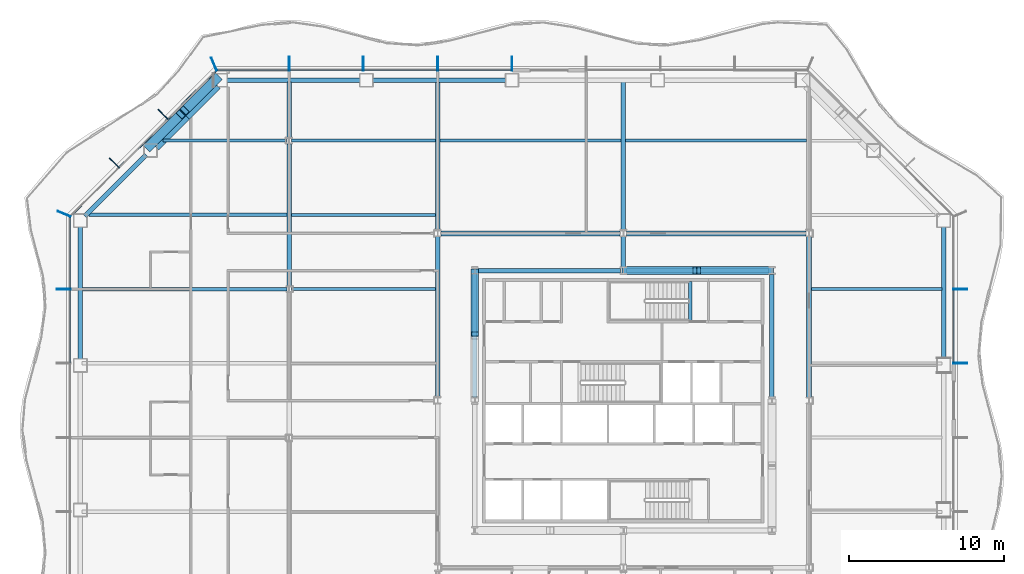
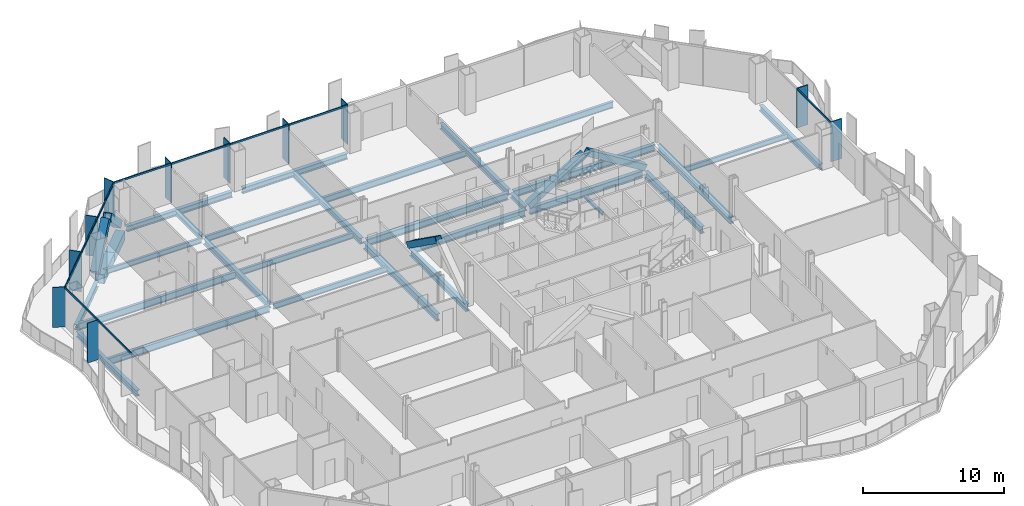
# One storey, part 3 of 17: 30 beams, 26 members, 4 elements without a shape of their own.
"""IFC4 building model written with IfcOpenShell, lengths in metres."""

from ifc_helpers import new_model, si_unit, direction, frame, origin, origin_2d, place, context, subcontext, project, spatial, rectangle, hollow_rectangle, i_section, extrude, material, material_profile, profile_set, type_object, element, aggregate, save


model = new_model("IFC4")

# Units and contexts
model_context = context("Model", 3, precision=1e-05, world=origin(), true_north=direction((0.0, 1.0)))
body_context = subcontext(model_context, "Body", "Model", "MODEL_VIEW")
ifc_project = project(units=[si_unit("LENGTHUNIT", "METRE"), si_unit("AREAUNIT", "SQUARE_METRE"), si_unit("VOLUMEUNIT", "CUBIC_METRE"), si_unit("PLANEANGLEUNIT", "RADIAN"), si_unit("MASSUNIT", "GRAM", prefix="KILO")], contexts=[model_context])

# Site, building, storey
site_placement = place(None, origin())
site = spatial("IfcSite", under=ifc_project, at=site_placement, CompositionType="ELEMENT")
building_placement = place(site_placement, origin())
building = spatial("IfcBuilding", under=site, at=building_placement, Name="Cairn Pilgrim Tower", CompositionType="ELEMENT")
storey_placement = place(building_placement, frame((0.0, 0.0, 79.800048828125)))
storey = spatial("IfcBuildingStorey", under=building, at=storey_placement, Name="L18", CompositionType="ELEMENT", Elevation=79.800048828125)

# Members
ifc_material_1 = material(Name="Structural steel S460M", Category="steel")
ifc_material_profile_1 = material_profile(ifc_material_1, hollow_rectangle(XDim=0.5, YDim=0.5, WallThickness=0.030029296875, at=origin_2d()), Name="BOX 500x500x30")
ifc_profile_set_1 = profile_set([ifc_material_profile_1], Name="Structural steel S460M")
member_type_1 = type_object("IfcMemberType", Name="BOX 500x500x30 BRACE", PredefinedType="BRACE", material=ifc_profile_set_1)
member_1_placement = place(storey_placement, frame((16.75634765625, 10.800048828125, 0.099853515625), z_axis=(-0.851002408489, 0.0, 0.525161785305), x_axis=(0.0, -1.0, 0.0)))
element("IfcMember", 1, at=member_1_placement, inside=storey, type_object=member_type_1, Name="KB-3A", PredefinedType="BRACE", context=body_context, shape_type="SweptSolid", body=[
    extrude(hollow_rectangle(XDim=0.5, YDim=0.5, WallThickness=0.030029296875, at=origin_2d()), origin(), (0.0, 0.0, 1.0), 5.526611328125),
])
member_2_placement = place(storey_placement, frame((7.24365234375, 10.800048828125, 0.099853515625), z_axis=(0.851007515624, 0.0, 0.525153509321), x_axis=(0.0, 1.0, 0.0)))
element("IfcMember", 2, at=member_2_placement, inside=storey, type_object=member_type_1, Name="KB-3B", PredefinedType="BRACE", context=body_context, shape_type="SweptSolid", body=[
    extrude(hollow_rectangle(XDim=0.5, YDim=0.5, WallThickness=0.030029296875, at=origin_2d()), origin(), (0.0, 0.0, 1.0), 5.37646484375),
])
member_3_placement = place(storey_placement, frame((-2.39990234375, 10.75634765625, 0.099853515625), z_axis=(0.0, -0.814175628242, 0.580618675532), x_axis=(1.0, 0.0, 0.0)))
element("IfcMember", 3, at=member_3_placement, inside=storey, type_object=member_type_1, Name="KB-4A", PredefinedType="BRACE", context=body_context, shape_type="SweptSolid", body=[
    extrude(hollow_rectangle(XDim=0.5, YDim=0.5, WallThickness=0.030029296875, at=origin_2d()), origin(), (0.0, 0.0, 1.0), 4.99658203125),
])
ifc_material_profile_2 = material_profile(ifc_material_1, hollow_rectangle(XDim=0.60009765625, YDim=0.60009765625, WallThickness=0.034912109375, at=origin_2d()), Name="BOX 600x600x35")
ifc_profile_set_2 = profile_set([ifc_material_profile_2], Name="Structural steel S460M")
member_type_2 = type_object("IfcMemberType", Name="BOX 600x600x35 BRACE", PredefinedType="BRACE", material=ifc_profile_set_2)
for number, where, z_axis, x_axis, name in (
    (4, (-19.078125, 23.2236328125, 0.14990234375), (-0.52892212789, -0.52892212789, 0.663688756314), (0.707106781187, -0.707106781187, 0.0), "XB-NW1-NW2-1"),
    (5, (-23.4873046875, 18.814697265625, 0.14990234375), (0.528939327604, 0.528877844478, 0.663710338426), (-0.70706568108, 0.707147878904, 0.0), "XB-NW1-NW2-2"),
):
    element("IfcMember", number, at=place(storey_placement, frame(where, z_axis=z_axis, x_axis=x_axis)), inside=storey, type_object=member_type_2, Name=name, PredefinedType="BRACE", context=body_context, shape_type="SweptSolid", body=[
        extrude(hollow_rectangle(XDim=0.60009765625, YDim=0.60009765625, WallThickness=0.034912109375, at=origin_2d()), origin(), (0.0, 0.0, 1.0), 3.970947265625),
    ])

# Beams
ifc_material_2 = material(Name="Structural steel S355J2", Category="steel")
ifc_material_profile_3 = material_profile(ifc_material_2, hollow_rectangle(XDim=0.699951171875, YDim=0.800048828125, WallThickness=0.0400390625, at=origin_2d()), Name="BOX 700x800x40")
ifc_profile_set_3 = profile_set([ifc_material_profile_3], Name="Structural steel S355J2")
beam_type_1 = type_object("IfcBeamType", Name="BOX 700x800x40 RING GIRDER", PredefinedType="SPANDREL", material=ifc_profile_set_3)
beam_1_placement = place(storey_placement, frame((-19.113525390625, 22.813720703125, -0.550048828125), z_axis=(-0.707106781187, -0.707106781187, 0.0), x_axis=(0.707106781187, -0.707106781187, 0.0)))
element("IfcBeam", 6, at=beam_1_placement, inside=storey, type_object=beam_type_1, Name="RG1-NW1-NW2-1", PredefinedType="SPANDREL", context=body_context, shape_type="SweptSolid", body=[
    extrude(hollow_rectangle(XDim=0.699951171875, YDim=0.800048828125, WallThickness=0.0400390625, at=origin_2d()), origin(), (0.0, 0.0, 1.0), 2.802978515625),
])
beam_2_placement = place(storey_placement, frame((-21.095458984375, 20.831787109375, -0.550048828125), z_axis=(-0.707106781187, -0.707106781187, 0.0), x_axis=(0.707106781187, -0.707106781187, 0.0)))
element("IfcBeam", 7, at=beam_2_placement, inside=storey, type_object=beam_type_1, Name="RG1-NW1-NW2-2", PredefinedType="SPANDREL", context=body_context, shape_type="SweptSolid", body=[
    extrude(hollow_rectangle(XDim=0.699951171875, YDim=0.800048828125, WallThickness=0.0400390625, at=origin_2d()), origin(), (0.0, 0.0, 1.0), 2.802490234375),
])

# Curtain wall, members
ifc_material_3 = material(Name="Aluminium alloy 6063-T6 bronze anodised with Bronze tinted laminated low-E glass 8+16+8.8", Category="aluminium")
curtain_wall_type_1 = type_object("IfcCurtainWallType", Name="TOWER STICK CURTAIN WALL EW", PredefinedType="NOTDEFINED", material=ifc_material_3)
curtain_wall_1_placement = place(storey_placement, origin())
curtain_wall_1 = element("IfcCurtainWall", 8, at=curtain_wall_1_placement, inside=storey, type_object=curtain_wall_type_1, Name="Tower Stick Curtain Wall Ew E", PredefinedType="NOTDEFINED")
ifc_material_4 = material(Name="Aluminium alloy 6063-T6 bronze anodised", Category="aluminium")
ifc_material_profile_4 = material_profile(ifc_material_4, rectangle(XDim=0.89990234375, YDim=0.06005859375, at=origin_2d()), Name="FIN MULLION 60x900 BRONZE")
ifc_profile_set_4 = profile_set([ifc_material_profile_4], Name="Aluminium alloy 6063-T6 bronze anodised")
member_type_3 = type_object("IfcMemberType", Name="FIN MULLION 60x900 BRONZE", PredefinedType="MULLION", material=ifc_profile_set_4)
member_4_placement = place(storey_placement, frame((28.969970703125, 4.800048828125, 0.0), z_axis=(0.0, 0.0, 1.0), x_axis=(1.0, 0.0, 0.0)))
member_4 = element("IfcMember", 9, at=member_4_placement, type_object=member_type_3, Name="Fin mullion E5", PredefinedType="MULLION", context=body_context, shape_type="SweptSolid", body=[
    extrude(rectangle(XDim=0.89990234375, YDim=0.06005859375, at=origin_2d()), origin(), (0.0, 0.0, 1.0), 3.449951171875),
])
member_5_placement = place(storey_placement, frame((28.969970703125, 9.60009765625, 0.0), z_axis=(0.0, 0.0, 1.0), x_axis=(1.0, 0.0, 0.0)))
member_5 = element("IfcMember", 10, at=member_5_placement, type_object=member_type_3, Name="Fin mullion E6", PredefinedType="MULLION", context=body_context, shape_type="SweptSolid", body=[
    extrude(rectangle(XDim=0.89990234375, YDim=0.06005859375, at=origin_2d()), origin(), (0.0, 0.0, 1.0), 3.449951171875),
])

curtain_wall_type_2 = type_object("IfcCurtainWallType", Name="TOWER STICK CURTAIN WALL NS", PredefinedType="NOTDEFINED", material=ifc_material_3)
curtain_wall_2_placement = place(storey_placement, origin())
curtain_wall_2 = element("IfcCurtainWall", 11, at=curtain_wall_2_placement, inside=storey, type_object=curtain_wall_type_2, Name="Tower Stick Curtain Wall Ns N", PredefinedType="NOTDEFINED")
member_6_placement = place(storey_placement, frame((0.0, 24.169921875, 0.0), z_axis=(0.0, 0.0, 1.0), x_axis=(0.0, 1.0, 0.0)))
member_6 = element("IfcMember", 12, at=member_6_placement, type_object=member_type_3, Name="Fin mullion N5", PredefinedType="MULLION", context=body_context, shape_type="SweptSolid", body=[
    extrude(rectangle(XDim=0.89990234375, YDim=0.06005859375, at=origin_2d()), origin(), (0.0, 0.0, 1.0), 3.449951171875),
])
member_7_placement = place(storey_placement, frame((-4.800048828125, 24.169921875, 0.0), z_axis=(0.0, 0.0, 1.0), x_axis=(0.0, 1.0, 0.0)))
member_7 = element("IfcMember", 13, at=member_7_placement, type_object=member_type_3, Name="Fin mullion N6", PredefinedType="MULLION", context=body_context, shape_type="SweptSolid", body=[
    extrude(rectangle(XDim=0.89990234375, YDim=0.06005859375, at=origin_2d()), origin(), (0.0, 0.0, 1.0), 3.449951171875),
])
member_8_placement = place(storey_placement, frame((-9.60009765625, 24.169921875, 0.0), z_axis=(0.0, 0.0, 1.0), x_axis=(0.0, 1.0, 0.0)))
member_8 = element("IfcMember", 14, at=member_8_placement, type_object=member_type_3, Name="Fin mullion N7", PredefinedType="MULLION", context=body_context, shape_type="SweptSolid", body=[
    extrude(rectangle(XDim=0.89990234375, YDim=0.06005859375, at=origin_2d()), origin(), (0.0, 0.0, 1.0), 3.449951171875),
])
member_9_placement = place(storey_placement, frame((-14.39990234375, 24.169921875, 0.0), z_axis=(0.0, 0.0, 1.0), x_axis=(0.0, 1.0, 0.0)))
member_9 = element("IfcMember", 15, at=member_9_placement, type_object=member_type_3, Name="Fin mullion N8", PredefinedType="MULLION", context=body_context, shape_type="SweptSolid", body=[
    extrude(rectangle(XDim=0.89990234375, YDim=0.06005859375, at=origin_2d()), origin(), (0.0, 0.0, 1.0), 3.449951171875),
])

curtain_wall_type_3 = type_object("IfcCurtainWallType", Name="CHAMFER CORNER CURTAIN WALL", PredefinedType="NOTDEFINED", material=ifc_material_3)
curtain_wall_3_placement = place(storey_placement, origin())
curtain_wall_3 = element("IfcCurtainWall", 16, at=curtain_wall_3_placement, inside=storey, type_object=curtain_wall_type_3, Name="Chamfer Corner Curtain Wall NW", PredefinedType="NOTDEFINED")
member_10_placement = place(storey_placement, frame((-19.257080078125, 24.137939453125, 0.0), z_axis=(0.0, 0.0, 1.0), x_axis=(-0.382683432365, 0.923879532511, 0.0)))
member_10 = element("IfcMember", 17, at=member_10_placement, type_object=member_type_3, Name="Fin mullion NW1", PredefinedType="MULLION", context=body_context, shape_type="SweptSolid", body=[
    extrude(rectangle(XDim=0.89990234375, YDim=0.06005859375, at=origin_2d()), origin(), (0.0, 0.0, 1.0), 3.449951171875),
])
member_11_placement = place(storey_placement, frame((-22.544677734375, 20.895751953125, 0.0), z_axis=(0.0, 0.0, 1.0), x_axis=(-0.707106781187, 0.707106781187, 0.0)))
member_11 = element("IfcMember", 18, at=member_11_placement, type_object=member_type_3, Name="Fin mullion NW2", PredefinedType="MULLION", context=body_context, shape_type="SweptSolid", body=[
    extrude(rectangle(XDim=0.89990234375, YDim=0.06005859375, at=origin_2d()), origin(), (0.0, 0.0, 1.0), 3.449951171875),
])
member_12_placement = place(storey_placement, frame((-25.69580078125, 17.74462890625, 0.0), z_axis=(0.0, 0.0, 1.0), x_axis=(-0.707106781187, 0.707106781187, 0.0)))
member_12 = element("IfcMember", 19, at=member_12_placement, type_object=member_type_3, Name="Fin mullion NW3", PredefinedType="MULLION", context=body_context, shape_type="SweptSolid", body=[
    extrude(rectangle(XDim=0.89990234375, YDim=0.06005859375, at=origin_2d()), origin(), (0.0, 0.0, 1.0), 3.449951171875),
])

curtain_wall_4_placement = place(storey_placement, origin())
curtain_wall_4 = element("IfcCurtainWall", 20, at=curtain_wall_4_placement, inside=storey, type_object=curtain_wall_type_1, Name="Tower Stick Curtain Wall Ew W", PredefinedType="NOTDEFINED")
member_13_placement = place(storey_placement, frame((-28.93798828125, 14.457275390625, 0.0), z_axis=(0.0, 0.0, 1.0), x_axis=(-0.923879532511, 0.382683432365, 0.0)))
member_13 = element("IfcMember", 21, at=member_13_placement, type_object=member_type_3, Name="Fin mullion W1", PredefinedType="MULLION", context=body_context, shape_type="SweptSolid", body=[
    extrude(rectangle(XDim=0.89990234375, YDim=0.06005859375, at=origin_2d()), origin(), (0.0, 0.0, 1.0), 3.449951171875),
])
member_14_placement = place(storey_placement, frame((-28.969970703125, 9.60009765625, 0.0), z_axis=(0.0, 0.0, 1.0), x_axis=(-1.0, 0.0, 0.0)))
member_14 = element("IfcMember", 22, at=member_14_placement, type_object=member_type_3, Name="Fin mullion W2", PredefinedType="MULLION", context=body_context, shape_type="SweptSolid", body=[
    extrude(rectangle(XDim=0.89990234375, YDim=0.06005859375, at=origin_2d()), origin(), (0.0, 0.0, 1.0), 3.449951171875),
])

# Beams
ifc_material_profile_5 = material_profile(ifc_material_2, i_section(OverallWidth=0.300048828125, OverallDepth=0.39990234375, WebThickness=0.013427734375, FlangeThickness=0.02392578125, FilletRadius=0.027099609375, at=origin_2d()), Name="HEB 400")
ifc_profile_set_5 = profile_set([ifc_material_profile_5], Name="Structural steel S355J2")
beam_type_2 = type_object("IfcBeamType", Name="HEB 400 GIRDER", PredefinedType="BEAM", material=ifc_profile_set_5)
beam_3_placement = place(storey_placement, frame((-14.39990234375, 19.404541015625, -0.35009765625), z_axis=(0.0, 1.0, 0.0), x_axis=(-1.0, 0.0, 0.0)))
element("IfcBeam", 23, at=beam_3_placement, inside=storey, type_object=beam_type_2, Name="PG1-6", PredefinedType="BEAM", context=body_context, shape_type="SweptSolid", body=[
    extrude(i_section(OverallWidth=0.300048828125, OverallDepth=0.39990234375, WebThickness=0.013427734375, FlangeThickness=0.02392578125, FilletRadius=0.027099609375, at=origin_2d()), origin(), (0.0, 0.0, 1.0), 3.575439453125),
])
beam_4_placement = place(storey_placement, frame((7.199951171875, 11.0185546875, -0.35009765625), z_axis=(0.0, 1.0, 0.0), x_axis=(-1.0, 0.0, 0.0)))
element("IfcBeam", 24, at=beam_4_placement, inside=storey, type_object=beam_type_2, Name="PG3-E2", PredefinedType="BEAM", context=body_context, shape_type="SweptSolid", body=[
    extrude(i_section(OverallWidth=0.300048828125, OverallDepth=0.39990234375, WebThickness=0.013427734375, FlangeThickness=0.02392578125, FilletRadius=0.027099609375, at=origin_2d()), origin(), (0.0, 0.0, 1.0), 1.969482421875),
])
ifc_material_profile_6 = material_profile(ifc_material_2, i_section(OverallWidth=0.300048828125, OverallDepth=0.5, WebThickness=0.014404296875, FlangeThickness=0.028076171875, FilletRadius=0.027099609375, at=origin_2d()), Name="HEB 500")
ifc_profile_set_6 = profile_set([ifc_material_profile_6], Name="Structural steel S355J2")
beam_type_3 = type_object("IfcBeamType", Name="HEB 500 GIRDER", PredefinedType="BEAM", material=ifc_profile_set_6)
beam_5_placement = place(storey_placement, frame((-14.39990234375, 9.804443359375, -0.400146484375), z_axis=(0.0, 1.0, 0.0), x_axis=(-1.0, 0.0, 0.0)))
element("IfcBeam", 25, at=beam_5_placement, inside=storey, type_object=beam_type_3, Name="PG1-5", PredefinedType="BEAM", context=body_context, shape_type="SweptSolid", body=[
    extrude(i_section(OverallWidth=0.300048828125, OverallDepth=0.5, WebThickness=0.014404296875, FlangeThickness=0.028076171875, FilletRadius=0.027099609375, at=origin_2d()), origin(), (0.0, 0.0, 1.0), 9.191162109375),
])
for number, where, z_axis, x_axis, name in (
    (26, (-4.800048828125, 13.412109375, -0.400146484375), (0.0, 1.0, 0.0), (-1.0, 0.0, 0.0), "PG2-4"),
    (27, (7.199951171875, 13.412109375, -0.400146484375), (0.0, 1.0, 0.0), (-1.0, 0.0, 0.0), "PG3-2"),
):
    element("IfcBeam", number, at=place(storey_placement, frame(where, z_axis=z_axis, x_axis=x_axis)), inside=storey, type_object=beam_type_3, Name=name, PredefinedType="BEAM", context=body_context, shape_type="SweptSolid", body=[
        extrude(i_section(OverallWidth=0.300048828125, OverallDepth=0.5, WebThickness=0.014404296875, FlangeThickness=0.028076171875, FilletRadius=0.027099609375, at=origin_2d()), origin(), (0.0, 0.0, 1.0), 9.56787109375),
    ])
ifc_material_profile_7 = material_profile(ifc_material_2, i_section(OverallWidth=0.300048828125, OverallDepth=0.5, WebThickness=0.014404296875, FlangeThickness=0.028076171875, FilletRadius=0.027099609375, at=origin_2d()), Name="HEB 500")
ifc_profile_set_7 = profile_set([ifc_material_profile_7], Name="Structural steel S355J2")
beam_type_4 = type_object("IfcBeamType", Name="HEB 500 RING GIRDER", PredefinedType="SPANDREL", material=ifc_profile_set_7)
beam_6_placement = place(storey_placement, frame((27.89990234375, 5.080810546875, -0.400146484375), z_axis=(0.0, 1.0, 0.0), x_axis=(-1.0, 0.0, 0.0)))
element("IfcBeam", 28, at=beam_6_placement, inside=storey, type_object=beam_type_4, Name="RG1-E3-NE1", PredefinedType="SPANDREL", context=body_context, shape_type="SweptSolid", body=[
    extrude(i_section(OverallWidth=0.300048828125, OverallDepth=0.5, WebThickness=0.014404296875, FlangeThickness=0.028076171875, FilletRadius=0.027099609375, at=origin_2d()), origin(), (0.0, 0.0, 1.0), 8.54150390625),
])
for number, where, z_axis, x_axis, name in (
    (29, (-0.405029296875, 23.10009765625, -0.400146484375), (-1.0, 0.0, 0.0), (0.0, -1.0, 0.0), "RG1-N3-N4"),
    (30, (-9.818603515625, 23.10009765625, -0.400146484375), (-1.0, 0.0, 0.0), (0.0, -1.0, 0.0), "RG1-N4-NW1"),
):
    element("IfcBeam", number, at=place(storey_placement, frame(where, z_axis=z_axis, x_axis=x_axis)), inside=storey, type_object=beam_type_4, Name=name, PredefinedType="SPANDREL", context=body_context, shape_type="SweptSolid", body=[
        extrude(i_section(OverallWidth=0.300048828125, OverallDepth=0.5, WebThickness=0.014404296875, FlangeThickness=0.028076171875, FilletRadius=0.027099609375, at=origin_2d()), origin(), (0.0, 0.0, 1.0), 8.603515625),
    ])
beam_7_placement = place(storey_placement, frame((-23.64990234375, 18.277099609375, -0.400146484375), z_axis=(-0.707128558756, -0.707085002947, 0.0), x_axis=(0.707085002947, -0.707128558756, 0.0)))
element("IfcBeam", 31, at=beam_7_placement, inside=storey, type_object=beam_type_4, Name="RG1-NW2-W1", PredefinedType="SPANDREL", context=body_context, shape_type="SweptSolid", body=[
    extrude(i_section(OverallWidth=0.300048828125, OverallDepth=0.5, WebThickness=0.014404296875, FlangeThickness=0.028076171875, FilletRadius=0.027099609375, at=origin_2d()), origin(), (0.0, 0.0, 1.0), 5.605224609375),
])
beam_8_placement = place(storey_placement, frame((-27.89990234375, 13.622314453125, -0.400146484375), z_axis=(0.0, -1.0, 0.0), x_axis=(1.0, 0.0, 0.0)))
element("IfcBeam", 32, at=beam_8_placement, inside=storey, type_object=beam_type_4, Name="RG1-W1-W2", PredefinedType="SPANDREL", context=body_context, shape_type="SweptSolid", body=[
    extrude(i_section(OverallWidth=0.300048828125, OverallDepth=0.5, WebThickness=0.014404296875, FlangeThickness=0.028076171875, FilletRadius=0.027099609375, at=origin_2d()), origin(), (0.0, 0.0, 1.0), 8.54150390625),
])
ifc_material_profile_8 = material_profile(ifc_material_2, i_section(OverallWidth=0.300048828125, OverallDepth=0.60009765625, WebThickness=0.015380859375, FlangeThickness=0.030029296875, FilletRadius=0.027099609375, at=origin_2d()), Name="HEB 600")
ifc_profile_set_8 = profile_set([ifc_material_profile_8], Name="Structural steel S355J2")
beam_type_5 = type_object("IfcBeamType", Name="HEB 600 CORE BEAM", PredefinedType="BEAM", material=ifc_profile_set_8)
beam_9_placement = place(storey_placement, frame((16.800048828125, 2.5966796875, -0.449951171875), z_axis=(0.0, 1.0, 0.0), x_axis=(-1.0, 0.0, 0.0)))
element("IfcBeam", 33, at=beam_9_placement, inside=storey, type_object=beam_type_5, Name="CB-4", PredefinedType="BEAM", context=body_context, shape_type="SweptSolid", body=[
    extrude(i_section(OverallWidth=0.300048828125, OverallDepth=0.60009765625, WebThickness=0.015380859375, FlangeThickness=0.030029296875, FilletRadius=0.027099609375, at=origin_2d()), origin(), (0.0, 0.0, 1.0), 8.0068359375),
])
beam_10_placement = place(storey_placement, frame((16.603271484375, 10.800048828125, -0.449951171875), z_axis=(-1.0, 0.0, 0.0), x_axis=(0.0, -1.0, 0.0)))
element("IfcBeam", 34, at=beam_10_placement, inside=storey, type_object=beam_type_5, Name="CB-5", PredefinedType="BEAM", context=body_context, shape_type="SweptSolid", body=[
    extrude(i_section(OverallWidth=0.300048828125, OverallDepth=0.60009765625, WebThickness=0.015380859375, FlangeThickness=0.030029296875, FilletRadius=0.027099609375, at=origin_2d()), origin(), (0.0, 0.0, 1.0), 9.20654296875),
])
beam_11_placement = place(storey_placement, frame((7.00341796875, 10.800048828125, -0.449951171875), z_axis=(-1.0, 0.0, 0.0), x_axis=(0.0, -1.0, 0.0)))
element("IfcBeam", 35, at=beam_11_placement, inside=storey, type_object=beam_type_5, Name="CB-6", PredefinedType="BEAM", context=body_context, shape_type="SweptSolid", body=[
    extrude(i_section(OverallWidth=0.300048828125, OverallDepth=0.60009765625, WebThickness=0.015380859375, FlangeThickness=0.030029296875, FilletRadius=0.027099609375, at=origin_2d()), origin(), (0.0, 0.0, 1.0), 9.206787109375),
])
beam_12_placement = place(storey_placement, frame((-2.39990234375, 10.603515625, -0.449951171875), z_axis=(0.0, -1.0, 0.0), x_axis=(1.0, 0.0, 0.0)))
element("IfcBeam", 36, at=beam_12_placement, inside=storey, type_object=beam_type_5, Name="CB-7", PredefinedType="BEAM", context=body_context, shape_type="SweptSolid", body=[
    extrude(i_section(OverallWidth=0.300048828125, OverallDepth=0.60009765625, WebThickness=0.015380859375, FlangeThickness=0.030029296875, FilletRadius=0.027099609375, at=origin_2d()), origin(), (0.0, 0.0, 1.0), 8.0068359375),
])
ifc_material_profile_9 = material_profile(ifc_material_2, i_section(OverallWidth=0.300048828125, OverallDepth=0.60009765625, WebThickness=0.015380859375, FlangeThickness=0.030029296875, FilletRadius=0.027099609375, at=origin_2d()), Name="HEB 600")
ifc_profile_set_9 = profile_set([ifc_material_profile_9], Name="Structural steel S355J2")
beam_type_6 = type_object("IfcBeamType", Name="HEB 600 GIRDER", PredefinedType="BEAM", material=ifc_profile_set_9)
for number, where, z_axis, x_axis, name in (
    (37, (-4.800048828125, 2.612060546875, -0.449951171875), (0.0, 1.0, 0.0), (-1.0, 0.0, 0.0), "PG2-3"),
    (38, (19.199951171875, 2.612060546875, -0.449951171875), (0.0, 1.0, 0.0), (-1.0, 0.0, 0.0), "PG4-3"),
):
    element("IfcBeam", number, at=place(storey_placement, frame(where, z_axis=z_axis, x_axis=x_axis)), inside=storey, type_object=beam_type_6, Name=name, PredefinedType="BEAM", context=body_context, shape_type="SweptSolid", body=[
        extrude(i_section(OverallWidth=0.300048828125, OverallDepth=0.60009765625, WebThickness=0.015380859375, FlangeThickness=0.030029296875, FilletRadius=0.027099609375, at=origin_2d()), origin(), (0.0, 0.0, 1.0), 10.3759765625),
    ])
ifc_material_profile_10 = material_profile(ifc_material_2, i_section(OverallWidth=0.300048828125, OverallDepth=0.60009765625, WebThickness=0.015380859375, FlangeThickness=0.030029296875, FilletRadius=0.027099609375, at=origin_2d()), Name="HEB 600")
ifc_profile_set_10 = profile_set([ifc_material_profile_10], Name="Structural steel S355J2")
beam_type_7 = type_object("IfcBeamType", Name="HEB 600 INNER GIRDER", PredefinedType="BEAM", material=ifc_profile_set_10)
for number, where, z_axis, x_axis, name in (
    (39, (-4.587890625, 13.199951171875, -0.449951171875), (1.0, 0.0, 0.0), (0.0, 1.0, 0.0), "IG2-1"),
    (40, (7.412109375, 13.199951171875, -0.449951171875), (1.0, 0.0, 0.0), (0.0, 1.0, 0.0), "IG2-2"),
):
    element("IfcBeam", number, at=place(storey_placement, frame(where, z_axis=z_axis, x_axis=x_axis)), inside=storey, type_object=beam_type_7, Name=name, PredefinedType="BEAM", context=body_context, shape_type="SweptSolid", body=[
        extrude(i_section(OverallWidth=0.300048828125, OverallDepth=0.60009765625, WebThickness=0.015380859375, FlangeThickness=0.030029296875, FilletRadius=0.027099609375, at=origin_2d()), origin(), (0.0, 0.0, 1.0), 11.575927734375),
    ])
ifc_material_profile_11 = material_profile(ifc_material_2, i_section(OverallWidth=0.18994140625, OverallDepth=0.449951171875, WebThickness=0.009521484375, FlangeThickness=0.0146484375, FilletRadius=0.02099609375, at=origin_2d()), Name="IPE 450")
ifc_profile_set_11 = profile_set([ifc_material_profile_11], Name="Structural steel S355J2")
beam_type_8 = type_object("IfcBeamType", Name="IPE 450 SECONDARY BEAM", PredefinedType="JOIST", material=ifc_profile_set_11)
beam_13_placement = place(storey_placement, frame((19.35009765625, 9.60009765625, -0.375), z_axis=(1.0, 0.0, 0.0), x_axis=(0.0, 1.0, 0.0)))
element("IfcBeam", 41, at=beam_13_placement, inside=storey, type_object=beam_type_8, Name="SB7-3", PredefinedType="JOIST", context=body_context, shape_type="SweptSolid", body=[
    extrude(i_section(OverallWidth=0.18994140625, OverallDepth=0.449951171875, WebThickness=0.009521484375, FlangeThickness=0.0146484375, FilletRadius=0.02099609375, at=origin_2d()), origin(), (0.0, 0.0, 1.0), 8.429931640625),
])
beam_14_placement = place(storey_placement, frame((-22.545166015625, 19.199951171875, -0.375), z_axis=(1.0, 0.0, 0.0), x_axis=(0.0, 1.0, 0.0)))
element("IfcBeam", 42, at=beam_14_placement, inside=storey, type_object=beam_type_8, Name="SB9-1", PredefinedType="JOIST", context=body_context, shape_type="SweptSolid", body=[
    extrude(i_section(OverallWidth=0.18994140625, OverallDepth=0.449951171875, WebThickness=0.009521484375, FlangeThickness=0.0146484375, FilletRadius=0.02099609375, at=origin_2d()), origin(), (0.0, 0.0, 1.0), 7.9951171875),
])
ifc_material_profile_12 = material_profile(ifc_material_2, i_section(OverallWidth=0.199951171875, OverallDepth=0.5, WebThickness=0.01025390625, FlangeThickness=0.01611328125, FilletRadius=0.02099609375, at=origin_2d()), Name="IPE 500")
ifc_profile_set_12 = profile_set([ifc_material_profile_12], Name="Structural steel S355J2")
beam_type_9 = type_object("IfcBeamType", Name="IPE 500 SECONDARY BEAM", PredefinedType="JOIST", material=ifc_profile_set_12)
for number, where, z_axis, x_axis, name in (
    (43, (-14.25, 9.60009765625, -0.400146484375), (1.0, 0.0, 0.0), (0.0, 1.0, 0.0), "SB7-2"),
    (44, (-14.25, 14.39990234375, -0.400146484375), (1.0, 0.0, 0.0), (0.0, 1.0, 0.0), "SB8-2"),
    (45, (-14.25, 19.199951171875, -0.400146484375), (1.0, 0.0, 0.0), (0.0, 1.0, 0.0), "SB9-2"),
):
    element("IfcBeam", number, at=place(storey_placement, frame(where, z_axis=z_axis, x_axis=x_axis)), inside=storey, type_object=beam_type_9, Name=name, PredefinedType="JOIST", context=body_context, shape_type="SweptSolid", body=[
        extrude(i_section(OverallWidth=0.199951171875, OverallDepth=0.5, WebThickness=0.01025390625, FlangeThickness=0.01611328125, FilletRadius=0.02099609375, at=origin_2d()), origin(), (0.0, 0.0, 1.0), 9.300048828125),
    ])
ifc_material_profile_13 = material_profile(ifc_material_2, i_section(OverallWidth=0.2099609375, OverallDepth=0.550048828125, WebThickness=0.010986328125, FlangeThickness=0.01708984375, FilletRadius=0.02392578125, at=origin_2d()), Name="IPE 550")
ifc_profile_set_13 = profile_set([ifc_material_profile_13], Name="Structural steel S355J2")
beam_type_10 = type_object("IfcBeamType", Name="IPE 550 SECONDARY BEAM", PredefinedType="JOIST", material=ifc_profile_set_13)
for number, where, z_axis, x_axis, name in (
    (46, (-4.64990234375, 19.199951171875, -0.425048828125), (1.0, 0.0, 0.0), (0.0, 1.0, 0.0), "SB9-3"),
    (47, (7.35009765625, 19.199951171875, -0.425048828125), (1.0, 0.0, 0.0), (0.0, 1.0, 0.0), "SB9-4"),
):
    element("IfcBeam", number, at=place(storey_placement, frame(where, z_axis=z_axis, x_axis=x_axis)), inside=storey, type_object=beam_type_10, Name=name, PredefinedType="JOIST", context=body_context, shape_type="SweptSolid", body=[
        extrude(i_section(OverallWidth=0.2099609375, OverallDepth=0.550048828125, WebThickness=0.010986328125, FlangeThickness=0.01708984375, FilletRadius=0.02392578125, at=origin_2d()), origin(), (0.0, 0.0, 1.0), 11.699951171875),
    ])
ifc_material_profile_14 = material_profile(ifc_material_2, i_section(OverallWidth=0.219970703125, OverallDepth=0.60009765625, WebThickness=0.011962890625, FlangeThickness=0.01904296875, FilletRadius=0.02392578125, at=origin_2d()), Name="IPE 600")
ifc_profile_set_14 = profile_set([ifc_material_profile_14], Name="Structural steel S355J2")
beam_type_11 = type_object("IfcBeamType", Name="IPE 600 SECONDARY BEAM", PredefinedType="JOIST", material=ifc_profile_set_14)
beam_15_placement = place(storey_placement, frame((-27.780029296875, 9.60009765625, -0.449951171875), z_axis=(1.0, 0.0, 0.0), x_axis=(0.0, 1.0, 0.0)))
element("IfcBeam", 48, at=beam_15_placement, inside=storey, type_object=beam_type_11, Name="SB7-1", PredefinedType="JOIST", context=body_context, shape_type="SweptSolid", body=[
    extrude(i_section(OverallWidth=0.219970703125, OverallDepth=0.60009765625, WebThickness=0.011962890625, FlangeThickness=0.01904296875, FilletRadius=0.02392578125, at=origin_2d()), origin(), (0.0, 0.0, 1.0), 13.22998046875),
])
beam_16_placement = place(storey_placement, frame((-27.34521484375, 14.39990234375, -0.449951171875), z_axis=(1.0, 0.0, 0.0), x_axis=(0.0, 1.0, 0.0)))
element("IfcBeam", 49, at=beam_16_placement, inside=storey, type_object=beam_type_11, Name="SB8-1", PredefinedType="JOIST", context=body_context, shape_type="SweptSolid", body=[
    extrude(i_section(OverallWidth=0.219970703125, OverallDepth=0.60009765625, WebThickness=0.011962890625, FlangeThickness=0.01904296875, FilletRadius=0.02392578125, at=origin_2d()), origin(), (0.0, 0.0, 1.0), 12.795166015625),
])
ifc_material_profile_15 = material_profile(ifc_material_2, i_section(OverallWidth=0.199951171875, OverallDepth=0.199951171875, WebThickness=0.009033203125, FlangeThickness=0.014892578125, FilletRadius=0.01806640625, at=origin_2d()), Name="HE 200 B")
ifc_profile_set_15 = profile_set([ifc_material_profile_15], Name="Structural steel S355J2")
beam_type_12 = type_object("IfcBeamType", Name="STAIR LANDING BEAM HE 200 B", PredefinedType="BEAM", material=ifc_profile_set_15)
beam_17_placement = place(storey_placement, frame((11.5244140625, 10.10009765625, -0.25), z_axis=(0.0, -1.0, 0.0), x_axis=(1.0, 0.0, 0.0)))
element("IfcBeam", 50, at=beam_17_placement, inside=storey, type_object=beam_type_12, Name="STAIR LANDING BEAM LD-HE200B", PredefinedType="BEAM", context=body_context, shape_type="SweptSolid", body=[
    extrude(i_section(OverallWidth=0.199951171875, OverallDepth=0.199951171875, WebThickness=0.009033203125, FlangeThickness=0.014892578125, FilletRadius=0.01806640625, at=origin_2d()), origin(), (0.0, 0.0, 1.0), 2.525146484375),
])

# Member
ifc_material_profile_16 = material_profile(ifc_material_4, rectangle(XDim=0.080078125, YDim=0.14990234375, at=origin_2d()), Name="TRANSOM 80x150 BRONZE")
ifc_profile_set_16 = profile_set([ifc_material_profile_16], Name="Aluminium alloy 6063-T6 bronze anodised")
member_type_4 = type_object("IfcMemberType", Name="TRANSOM 80x150 BRONZE", PredefinedType="USERDEFINED", material=ifc_profile_set_16)
member_15_placement = place(storey_placement, frame((28.550048828125, 4.830078125, 3.375), z_axis=(0.0, 1.0, 0.0), x_axis=(-1.0, 0.0, 0.0)))
member_15 = element("IfcMember", 51, at=member_15_placement, type_object=member_type_4, Name="Transom E5", ObjectType="TRANSOM", PredefinedType="USERDEFINED", context=body_context, shape_type="SweptSolid", body=[
    extrude(rectangle(XDim=0.080078125, YDim=0.14990234375, at=origin_2d()), origin(), (0.0, 0.0, 1.0), 4.739990234375),
])

aggregate(curtain_wall_1, [member_4, member_5, member_15])

member_16_placement = place(storey_placement, frame((-0.030029296875, 23.75, 3.375), z_axis=(-1.0, 0.0, 0.0), x_axis=(0.0, -1.0, 0.0)))
member_16 = element("IfcMember", 52, at=member_16_placement, type_object=member_type_4, Name="Transom N5", ObjectType="TRANSOM", PredefinedType="USERDEFINED", context=body_context, shape_type="SweptSolid", body=[
    extrude(rectangle(XDim=0.080078125, YDim=0.14990234375, at=origin_2d()), origin(), (0.0, 0.0, 1.0), 4.739990234375),
])

member_17_placement = place(storey_placement, frame((-4.830078125, 23.75, 3.375), z_axis=(-1.0, 0.0, 0.0), x_axis=(0.0, -1.0, 0.0)))
member_17 = element("IfcMember", 53, at=member_17_placement, type_object=member_type_4, Name="Transom N6", ObjectType="TRANSOM", PredefinedType="USERDEFINED", context=body_context, shape_type="SweptSolid", body=[
    extrude(rectangle(XDim=0.080078125, YDim=0.14990234375, at=origin_2d()), origin(), (0.0, 0.0, 1.0), 4.739990234375),
])

member_18_placement = place(storey_placement, frame((-9.6298828125, 23.75, 3.375), z_axis=(-1.0, 0.0, 0.0), x_axis=(0.0, -1.0, 0.0)))
member_18 = element("IfcMember", 54, at=member_18_placement, type_object=member_type_4, Name="Transom N7", ObjectType="TRANSOM", PredefinedType="USERDEFINED", context=body_context, shape_type="SweptSolid", body=[
    extrude(rectangle(XDim=0.080078125, YDim=0.14990234375, at=origin_2d()), origin(), (0.0, 0.0, 1.0), 4.740234375),
])

member_19_placement = place(storey_placement, frame((-14.429931640625, 23.75, 3.375), z_axis=(-1.0, 0.0, 0.0), x_axis=(0.0, -1.0, 0.0)))
member_19 = element("IfcMember", 55, at=member_19_placement, type_object=member_type_4, Name="Transom N8", ObjectType="TRANSOM", PredefinedType="USERDEFINED", context=body_context, shape_type="SweptSolid", body=[
    extrude(rectangle(XDim=0.080078125, YDim=0.14990234375, at=origin_2d()), origin(), (0.0, 0.0, 1.0), 4.62646484375),
])

aggregate(curtain_wall_2, [member_6, member_7, member_8, member_9, member_16, member_17, member_18, member_19])

member_20_placement = place(storey_placement, frame((-19.124755859375, 23.7216796875, 3.375), z_axis=(-0.707106781187, -0.707106781187, 0.0), x_axis=(0.707106781187, -0.707106781187, 0.0)))
member_20 = element("IfcMember", 56, at=member_20_placement, type_object=member_type_4, Name="Transom NW1", ObjectType="TRANSOM", PredefinedType="USERDEFINED", context=body_context, shape_type="SweptSolid", body=[
    extrude(rectangle(XDim=0.080078125, YDim=0.14990234375, at=origin_2d()), origin(), (0.0, 0.0, 1.0), 4.38623046875),
])

member_21_placement = place(storey_placement, frame((-22.268798828125, 20.57763671875, 3.375), z_axis=(-0.707106781187, -0.707106781187, 0.0), x_axis=(0.707106781187, -0.707106781187, 0.0)))
member_21 = element("IfcMember", 57, at=member_21_placement, type_object=member_type_4, Name="Transom NW2", ObjectType="TRANSOM", PredefinedType="USERDEFINED", context=body_context, shape_type="SweptSolid", body=[
    extrude(rectangle(XDim=0.080078125, YDim=0.14990234375, at=origin_2d()), origin(), (0.0, 0.0, 1.0), 4.396728515625),
])

member_22_placement = place(storey_placement, frame((-25.419921875, 17.426513671875, 3.375), z_axis=(-0.707106781187, -0.707106781187, 0.0), x_axis=(0.707106781187, -0.707106781187, 0.0)))
member_22 = element("IfcMember", 58, at=member_22_placement, type_object=member_type_4, Name="Transom NW3", ObjectType="TRANSOM", PredefinedType="USERDEFINED", context=body_context, shape_type="SweptSolid", body=[
    extrude(rectangle(XDim=0.080078125, YDim=0.14990234375, at=origin_2d()), origin(), (0.0, 0.0, 1.0), 4.38671875),
])

aggregate(curtain_wall_3, [member_10, member_11, member_12, member_20, member_21, member_22])

member_23_placement = place(storey_placement, frame((-28.550048828125, 14.25634765625, 3.375), z_axis=(0.0, -1.0, 0.0), x_axis=(1.0, 0.0, 0.0)))
member_23 = element("IfcMember", 59, at=member_23_placement, type_object=member_type_4, Name="Transom W1", ObjectType="TRANSOM", PredefinedType="USERDEFINED", context=body_context, shape_type="SweptSolid", body=[
    extrude(rectangle(XDim=0.080078125, YDim=0.14990234375, at=origin_2d()), origin(), (0.0, 0.0, 1.0), 4.62646484375),
])

member_24_placement = place(storey_placement, frame((-28.550048828125, 9.570068359375, 3.375), z_axis=(0.0, -1.0, 0.0), x_axis=(1.0, 0.0, 0.0)))
member_24 = element("IfcMember", 60, at=member_24_placement, type_object=member_type_4, Name="Transom W2", ObjectType="TRANSOM", PredefinedType="USERDEFINED", context=body_context, shape_type="SweptSolid", body=[
    extrude(rectangle(XDim=0.080078125, YDim=0.14990234375, at=origin_2d()), origin(), (0.0, 0.0, 1.0), 4.739990234375),
])

aggregate(curtain_wall_4, [member_13, member_14, member_23, member_24])

save(model, "model.ifc")
